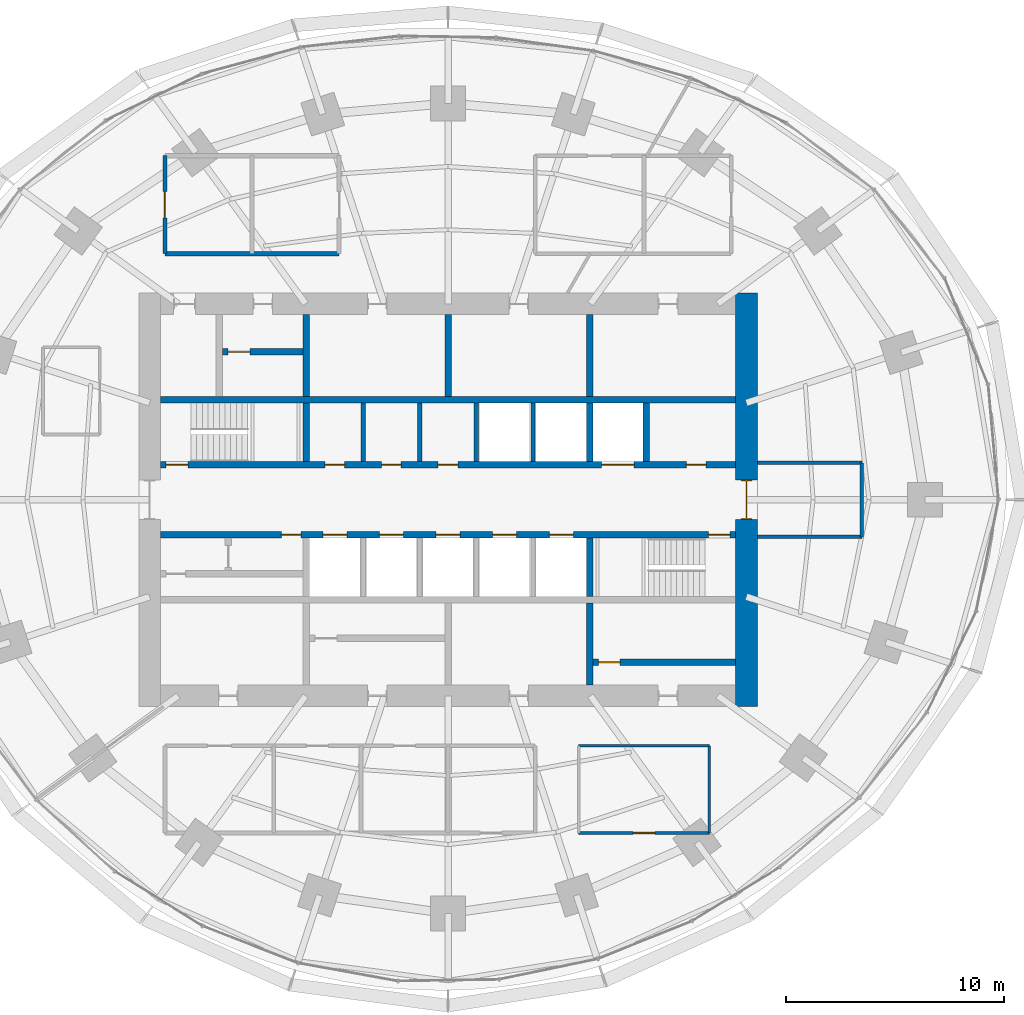
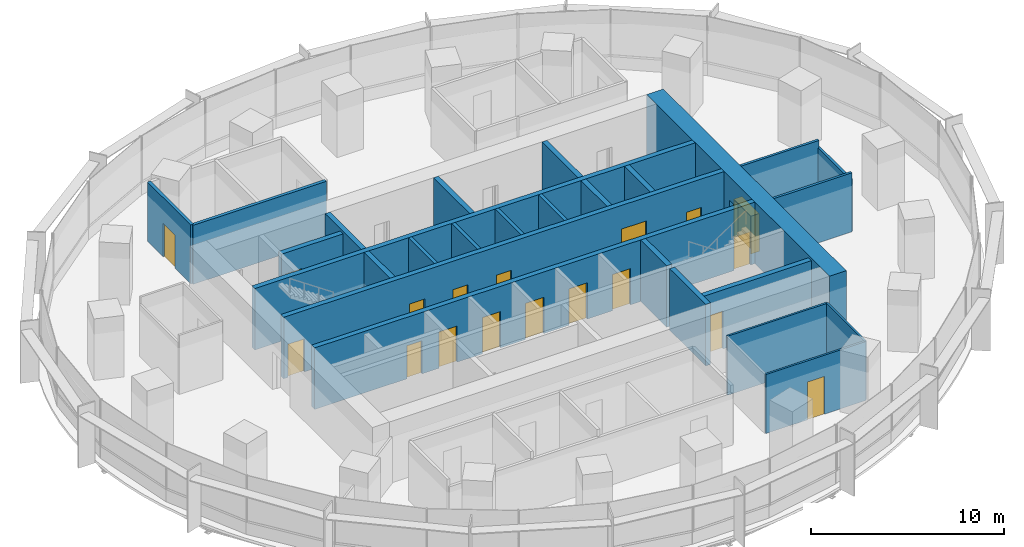
# One storey, part 11 of 14: 26 walls, 18 doors, 18 openings.
"""IFC4 building model written with IfcOpenShell, lengths in metres."""

from ifc_helpers import new_model, si_unit, direction, frame, frame_2d, origin, place, context, subcontext, project, spatial, rectangle, extrude, material, layer, layer_set, type_object, element, fill, save


model = new_model("IFC4")

# Units and contexts
model_context = context("Model", 3, precision=1e-05, world=origin(), true_north=direction((0.0, 1.0)))
body_context = subcontext(model_context, "Body", "Model", "MODEL_VIEW")
ifc_project = project(units=[si_unit("LENGTHUNIT", "METRE"), si_unit("AREAUNIT", "SQUARE_METRE"), si_unit("VOLUMEUNIT", "CUBIC_METRE"), si_unit("PLANEANGLEUNIT", "RADIAN"), si_unit("MASSUNIT", "GRAM", prefix="KILO")], contexts=[model_context])

# Site, building, storey
site_placement = place(None, origin())
site = spatial("IfcSite", under=ifc_project, at=site_placement, CompositionType="ELEMENT")
building_placement = place(site_placement, origin())
building = spatial("IfcBuilding", under=site, at=building_placement, Name="Marramba Exchange Tower", CompositionType="ELEMENT")
storey_placement = place(building_placement, frame((0.0, 0.0, 135.300048828125)))
storey = spatial("IfcBuildingStorey", under=building, at=storey_placement, Name="L32", CompositionType="ELEMENT", Elevation=135.300048828125)

# Walls
ifc_material_1 = material(Name="Concrete N50", Category="concrete")
ifc_layer_1 = layer(ifc_material_1, 0.199951171875)
ifc_layer_set_1 = layer_set([ifc_layer_1], Name="Core shaft wall 200")
wall_type_1 = type_object("IfcWallType", Name="Core shaft wall 200", PredefinedType="SHEAR", material=ifc_layer_set_1)
for number, where, z_axis, x_axis, name in (
    (1, (-3.89990234375, 1.75, 0.0), (0.0, 0.0, 1.0), (0.0, 1.0, 0.0), "Core wall SHN1 L32"),
    (2, (-1.300048828125, 1.75, 0.0), (0.0, 0.0, 1.0), (0.0, 1.0, 0.0), "Core wall SHN2 L32"),
    (3, (1.300048828125, 1.75, 0.0), (0.0, 0.0, 1.0), (0.0, 1.0, 0.0), "Core wall SHN3 L32"),
    (4, (3.89990234375, 1.75, 0.0), (0.0, 0.0, 1.0), (0.0, 1.0, 0.0), "Core wall SHN4 L32"),
):
    element("IfcWall", number, at=place(storey_placement, frame(where, z_axis=z_axis, x_axis=x_axis)), inside=storey, type_object=wall_type_1, Name=name, PredefinedType="SHEAR", context=body_context, shape_type="SweptSolid", body=[
        extrude(rectangle(XDim=2.699951171875, YDim=0.199951171875, at=frame_2d((1.35009765625, 0.0))), origin(), (0.0, 0.0, 1.0), 3.89990234375),
    ])

# Wall, opening, door
ifc_layer_2 = layer(ifc_material_1, 1.0)
ifc_layer_set_2 = layer_set([ifc_layer_2], Name="Core wall 1000")
wall_type_2 = type_object("IfcWallType", Name="Core wall 1000", PredefinedType="SHEAR", material=ifc_layer_set_2)
wall_1_placement = place(storey_placement, frame((13.699951171875, -9.5, 0.0), z_axis=(0.0, 0.0, 1.0), x_axis=(0.0, 1.0, 0.0)))
wall_1 = element("IfcWall", 5, at=wall_1_placement, inside=storey, type_object=wall_type_2, Name="Core wall E L32", PredefinedType="SHEAR", context=body_context, shape_type="SweptSolid", body=[
    extrude(rectangle(XDim=19.0, YDim=1.0, at=frame_2d((9.5, 0.0))), origin(), (0.0, 0.0, 1.0), 3.89990234375),
])
opening_1_placement = place(wall_1_placement, frame((8.60009765625, 0.0, 0.0)))
opening_1 = element("IfcOpeningElement", 6, at=opening_1_placement, cuts=wall_1, Name="Opening D1", PredefinedType="OPENING", context=body_context, shape_type="SweptSolid", body=[
    extrude(rectangle(XDim=1.800048828125, YDim=2.39990234375, at=frame_2d((0.89990234375, 1.199951171875))), frame((0.0, 0.510009765625, 0.0), z_axis=(0.0, -1.0, 0.0), x_axis=(1.0, 0.0, 0.0)), (0.0, 0.0, 1.0), 1.02001953125),
])
ifc_material_2 = material(Name="Steel-framed door", Category="steel")
door_type_1 = type_object("IfcDoorType", Name="Lobby exit door 1800x2400", OperationType="DOUBLE_DOOR_SINGLE_SWING", PredefinedType="DOOR", material=ifc_material_2)
door_1_placement = place(opening_1_placement, frame((1.800048828125, 0.0, 0.0), z_axis=(0.0, 0.0, 1.0), x_axis=(-1.0, 0.0, 0.0)))
door_1 = element("IfcDoor", 7, at=door_1_placement, inside=storey, type_object=door_type_1, Name="D1 lobby exit east L32", OperationType="DOUBLE_DOOR_SINGLE_SWING", OverallHeight=2.39990234375, OverallWidth=1.800048828125, PredefinedType="DOOR", context=body_context, shape_type="SweptSolid", body=[
    extrude(rectangle(XDim=1.719970703125, YDim=2.35986328125, at=frame_2d((0.900146484375, 1.179931640625))), frame((0.0, 0.025146484375, 0.0), z_axis=(0.0, -1.0, 0.0), x_axis=(1.0, 0.0, 0.0)), (0.0, 0.0, 1.0), 0.050048828125),
    extrude(rectangle(XDim=0.04, YDim=2.39990234375, at=frame_2d((1.780029296875, 1.199951171875))), frame((0.0, 0.25, 0.0), z_axis=(0.0, -1.0, 0.0), x_axis=(1.0, 0.0, 0.0)), (0.0, 0.0, 1.0), 0.5),
    extrude(rectangle(XDim=0.04, YDim=2.39990234375, at=frame_2d((0.02001953125, 1.199951171875))), frame((0.0, 0.25, 0.0), z_axis=(0.0, -1.0, 0.0), x_axis=(1.0, 0.0, 0.0)), (0.0, 0.0, 1.0), 0.5),
    extrude(rectangle(XDim=1.719970703125, YDim=0.04, at=frame_2d((0.900146484375, 2.3798828125))), frame((0.0, 0.25, 0.0), z_axis=(0.0, -1.0, 0.0), x_axis=(1.0, 0.0, 0.0)), (0.0, 0.0, 1.0), 0.5),
])
fill(opening_1, door_1)

# Wall, openings, doors
ifc_layer_3 = layer(ifc_material_1, 0.300048828125)
ifc_layer_set_3 = layer_set([ifc_layer_3], Name="Core wall 300")
wall_type_3 = type_object("IfcWallType", Name="Core wall 300", PredefinedType="SHEAR", material=ifc_layer_set_3)
wall_2_placement = place(storey_placement, frame((-13.199951171875, 1.60009765625, 0.0), z_axis=(0.0, 0.0, 1.0), x_axis=(1.0, 0.0, 0.0)))
wall_2 = element("IfcWall", 8, at=wall_2_placement, inside=storey, type_object=wall_type_3, Name="Core wall LN L32", PredefinedType="SHEAR", context=body_context, shape_type="SweptSolid", body=[
    extrude(rectangle(XDim=26.39990234375, YDim=0.300048828125, at=frame_2d((13.199951171875, 0.0))), origin(), (0.0, 0.0, 1.0), 3.89990234375),
])
opening_2_placement = place(wall_2_placement, frame((0.25, 0.0, 0.0)))
opening_2 = element("IfcOpeningElement", 9, at=opening_2_placement, cuts=wall_2, Name="Opening D2", PredefinedType="OPENING", context=body_context, shape_type="SweptSolid", body=[
    extrude(rectangle(XDim=1.0, YDim=2.10009765625, at=frame_2d((0.5, 1.050048828125))), frame((0.0, 0.159912109375, 0.0), z_axis=(0.0, -1.0, 0.0), x_axis=(1.0, 0.0, 0.0)), (0.0, 0.0, 1.0), 0.320068359375),
])
opening_3_placement = place(wall_2_placement, frame((20.25, 0.0, 0.0)))
opening_3 = element("IfcOpeningElement", 10, at=opening_3_placement, cuts=wall_2, Name="Opening LD3", PredefinedType="OPENING", context=body_context, shape_type="SweptSolid", body=[
    extrude(rectangle(XDim=1.5, YDim=2.39990234375, at=frame_2d((0.75, 1.199951171875))), frame((0.0, 0.159912109375, 0.0), z_axis=(0.0, -1.0, 0.0), x_axis=(1.0, 0.0, 0.0)), (0.0, 0.0, 1.0), 0.320068359375),
])
opening_4_placement = place(wall_2_placement, frame((7.550048828125, 0.0, 0.0)))
opening_4 = element("IfcOpeningElement", 11, at=opening_4_placement, cuts=wall_2, Name="Opening D5", PredefinedType="OPENING", context=body_context, shape_type="SweptSolid", body=[
    extrude(rectangle(XDim=0.89990234375, YDim=2.10009765625, at=frame_2d((0.449951171875, 1.050048828125))), frame((0.0, 0.159912109375, 0.0), z_axis=(0.0, -1.0, 0.0), x_axis=(1.0, 0.0, 0.0)), (0.0, 0.0, 1.0), 0.320068359375),
])
opening_5_placement = place(wall_2_placement, frame((10.14990234375, 0.0, 0.0)))
opening_5 = element("IfcOpeningElement", 12, at=opening_5_placement, cuts=wall_2, Name="Opening D5", PredefinedType="OPENING", context=body_context, shape_type="SweptSolid", body=[
    extrude(rectangle(XDim=0.89990234375, YDim=2.10009765625, at=frame_2d((0.449951171875, 1.050048828125))), frame((0.0, 0.159912109375, 0.0), z_axis=(0.0, -1.0, 0.0), x_axis=(1.0, 0.0, 0.0)), (0.0, 0.0, 1.0), 0.320068359375),
])
opening_6_placement = place(wall_2_placement, frame((12.75, 0.0, 0.0)))
opening_6 = element("IfcOpeningElement", 13, at=opening_6_placement, cuts=wall_2, Name="Opening D5", PredefinedType="OPENING", context=body_context, shape_type="SweptSolid", body=[
    extrude(rectangle(XDim=0.89990234375, YDim=2.10009765625, at=frame_2d((0.449951171875, 1.050048828125))), frame((0.0, 0.159912109375, 0.0), z_axis=(0.0, -1.0, 0.0), x_axis=(1.0, 0.0, 0.0)), (0.0, 0.0, 1.0), 0.320068359375),
])
opening_7_placement = place(wall_2_placement, frame((24.14990234375, 0.0, 0.0)))
opening_7 = element("IfcOpeningElement", 14, at=opening_7_placement, cuts=wall_2, Name="Opening D5", PredefinedType="OPENING", context=body_context, shape_type="SweptSolid", body=[
    extrude(rectangle(XDim=0.89990234375, YDim=2.10009765625, at=frame_2d((0.449951171875, 1.050048828125))), frame((0.0, 0.159912109375, 0.0), z_axis=(0.0, -1.0, 0.0), x_axis=(1.0, 0.0, 0.0)), (0.0, 0.0, 1.0), 0.320068359375),
])
door_type_2 = type_object("IfcDoorType", Name="Goods lift landing door 1500x2400", OperationType="SLIDING_TO_LEFT", PredefinedType="DOOR", material=ifc_material_2)
door_2_placement = place(opening_3_placement, origin())
door_2 = element("IfcDoor", 15, at=door_2_placement, inside=storey, type_object=door_type_2, Name="GL1 landing door L32", OperationType="SLIDING_TO_LEFT", OverallHeight=2.39990234375, OverallWidth=1.5, PredefinedType="DOOR", context=body_context, shape_type="SweptSolid", body=[
    extrude(rectangle(XDim=1.5, YDim=2.39990234375, at=frame_2d((0.75, 1.199951171875))), frame((0.0, 0.02490234375, 0.0), z_axis=(0.0, -1.0, 0.0), x_axis=(1.0, 0.0, 0.0)), (0.0, 0.0, 1.0), 0.050048828125),
])
fill(opening_3, door_2)
door_type_3 = type_object("IfcDoorType", Name="Service door 900x2100", OperationType="SINGLE_SWING_LEFT", PredefinedType="DOOR", material=ifc_material_2)
door_3_placement = place(opening_4_placement, origin())
door_3 = element("IfcDoor", 16, at=door_3_placement, inside=storey, type_object=door_type_3, Name="D5 print room L32", OperationType="SINGLE_SWING_RIGHT", OverallHeight=2.10009765625, OverallWidth=0.89990234375, PredefinedType="DOOR", context=body_context, shape_type="SweptSolid", body=[
    extrude(rectangle(XDim=0.89990234375, YDim=2.10009765625, at=frame_2d((0.449951171875, 1.050048828125))), frame((0.0, 0.02490234375, 0.0), z_axis=(0.0, -1.0, 0.0), x_axis=(1.0, 0.0, 0.0)), (0.0, 0.0, 1.0), 0.050048828125),
])
fill(opening_4, door_3)
door_4_placement = place(opening_5_placement, origin())
door_4 = element("IfcDoor", 17, at=door_4_placement, inside=storey, type_object=door_type_3, Name="D5 stationery store L32", OperationType="SINGLE_SWING_RIGHT", OverallHeight=2.10009765625, OverallWidth=0.89990234375, PredefinedType="DOOR", context=body_context, shape_type="SweptSolid", body=[
    extrude(rectangle(XDim=0.89990234375, YDim=2.10009765625, at=frame_2d((0.449951171875, 1.050048828125))), frame((0.0, 0.02490234375, 0.0), z_axis=(0.0, -1.0, 0.0), x_axis=(1.0, 0.0, 0.0)), (0.0, 0.0, 1.0), 0.050048828125),
])
fill(opening_5, door_4)
door_5_placement = place(opening_6_placement, origin())
door_5 = element("IfcDoor", 18, at=door_5_placement, inside=storey, type_object=door_type_3, Name="D5 switch room L32", OperationType="SINGLE_SWING_RIGHT", OverallHeight=2.10009765625, OverallWidth=0.89990234375, PredefinedType="DOOR", context=body_context, shape_type="SweptSolid", body=[
    extrude(rectangle(XDim=0.89990234375, YDim=2.10009765625, at=frame_2d((0.449951171875, 1.050048828125))), frame((0.0, 0.02490234375, 0.0), z_axis=(0.0, -1.0, 0.0), x_axis=(1.0, 0.0, 0.0)), (0.0, 0.0, 1.0), 0.050048828125),
])
fill(opening_6, door_5)
door_6_placement = place(opening_7_placement, origin())
door_6 = element("IfcDoor", 19, at=door_6_placement, inside=storey, type_object=door_type_3, Name="D5 riser L32", OperationType="SINGLE_SWING_RIGHT", OverallHeight=2.10009765625, OverallWidth=0.89990234375, PredefinedType="DOOR", context=body_context, shape_type="SweptSolid", body=[
    extrude(rectangle(XDim=0.89990234375, YDim=2.10009765625, at=frame_2d((0.449951171875, 1.050048828125))), frame((0.0, 0.02490234375, 0.0), z_axis=(0.0, -1.0, 0.0), x_axis=(1.0, 0.0, 0.0)), (0.0, 0.0, 1.0), 0.050048828125),
])
fill(opening_7, door_6)
door_type_4 = type_object("IfcDoorType", Name="Stair door 1000x2100", OperationType="SINGLE_SWING_LEFT", PredefinedType="DOOR", material=ifc_material_2)
door_7_placement = place(opening_2_placement, origin())
door_7 = element("IfcDoor", 20, at=door_7_placement, inside=storey, type_object=door_type_4, Name="D2 stair ST1 L32", OperationType="SINGLE_SWING_LEFT", OverallHeight=2.10009765625, OverallWidth=1.0, PredefinedType="DOOR", context=body_context, shape_type="SweptSolid", body=[
    extrude(rectangle(XDim=1.0, YDim=2.10009765625, at=frame_2d((0.5, 1.050048828125))), frame((0.0, 0.02490234375, 0.0), z_axis=(0.0, -1.0, 0.0), x_axis=(1.0, 0.0, 0.0)), (0.0, 0.0, 1.0), 0.050048828125),
])
fill(opening_2, door_7)

wall_3_placement = place(storey_placement, frame((-13.199951171875, -1.60009765625, 0.0), z_axis=(0.0, 0.0, 1.0), x_axis=(1.0, 0.0, 0.0)))
wall_3 = element("IfcWall", 21, at=wall_3_placement, inside=storey, type_object=wall_type_3, Name="Core wall LS L32", PredefinedType="SHEAR", context=body_context, shape_type="SweptSolid", body=[
    extrude(rectangle(XDim=26.39990234375, YDim=0.300048828125, at=frame_2d((13.199951171875, 0.0))), origin(), (0.0, 0.0, 1.0), 3.89990234375),
])
opening_8_placement = place(wall_3_placement, frame((25.14990234375, 0.0, 0.0)))
opening_8 = element("IfcOpeningElement", 22, at=opening_8_placement, cuts=wall_3, Name="Opening D2", PredefinedType="OPENING", context=body_context, shape_type="SweptSolid", body=[
    extrude(rectangle(XDim=1.0, YDim=2.10009765625, at=frame_2d((0.5, 1.050048828125))), frame((0.0, 0.159912109375, 0.0), z_axis=(0.0, -1.0, 0.0), x_axis=(1.0, 0.0, 0.0)), (0.0, 0.0, 1.0), 0.320068359375),
])
opening_9_placement = place(wall_3_placement, frame((7.449951171875, 0.0, 0.0)))
opening_9 = element("IfcOpeningElement", 23, at=opening_9_placement, cuts=wall_3, Name="Opening LD1", PredefinedType="OPENING", context=body_context, shape_type="SweptSolid", body=[
    extrude(rectangle(XDim=1.10009765625, YDim=2.300048828125, at=frame_2d((0.550048828125, 1.14990234375))), frame((0.0, 0.159912109375, 0.0), z_axis=(0.0, -1.0, 0.0), x_axis=(1.0, 0.0, 0.0)), (0.0, 0.0, 1.0), 0.320068359375),
])
opening_10_placement = place(wall_3_placement, frame((10.050048828125, 0.0, 0.0)))
opening_10 = element("IfcOpeningElement", 24, at=opening_10_placement, cuts=wall_3, Name="Opening LD1", PredefinedType="OPENING", context=body_context, shape_type="SweptSolid", body=[
    extrude(rectangle(XDim=1.10009765625, YDim=2.300048828125, at=frame_2d((0.550048828125, 1.14990234375))), frame((0.0, 0.159912109375, 0.0), z_axis=(0.0, -1.0, 0.0), x_axis=(1.0, 0.0, 0.0)), (0.0, 0.0, 1.0), 0.320068359375),
])
opening_11_placement = place(wall_3_placement, frame((12.64990234375, 0.0, 0.0)))
opening_11 = element("IfcOpeningElement", 25, at=opening_11_placement, cuts=wall_3, Name="Opening LD1", PredefinedType="OPENING", context=body_context, shape_type="SweptSolid", body=[
    extrude(rectangle(XDim=1.10009765625, YDim=2.300048828125, at=frame_2d((0.550048828125, 1.14990234375))), frame((0.0, 0.159912109375, 0.0), z_axis=(0.0, -1.0, 0.0), x_axis=(1.0, 0.0, 0.0)), (0.0, 0.0, 1.0), 0.320068359375),
])
opening_12_placement = place(wall_3_placement, frame((15.25, 0.0, 0.0)))
opening_12 = element("IfcOpeningElement", 26, at=opening_12_placement, cuts=wall_3, Name="Opening LD2", PredefinedType="OPENING", context=body_context, shape_type="SweptSolid", body=[
    extrude(rectangle(XDim=1.10009765625, YDim=2.300048828125, at=frame_2d((0.550048828125, 1.14990234375))), frame((0.0, 0.159912109375, 0.0), z_axis=(0.0, -1.0, 0.0), x_axis=(1.0, 0.0, 0.0)), (0.0, 0.0, 1.0), 0.320068359375),
])
opening_13_placement = place(wall_3_placement, frame((17.85009765625, 0.0, 0.0)))
opening_13 = element("IfcOpeningElement", 27, at=opening_13_placement, cuts=wall_3, Name="Opening LD2", PredefinedType="OPENING", context=body_context, shape_type="SweptSolid", body=[
    extrude(rectangle(XDim=1.10009765625, YDim=2.300048828125, at=frame_2d((0.550048828125, 1.14990234375))), frame((0.0, 0.159912109375, 0.0), z_axis=(0.0, -1.0, 0.0), x_axis=(1.0, 0.0, 0.0)), (0.0, 0.0, 1.0), 0.320068359375),
])
opening_14_placement = place(wall_3_placement, frame((5.550048828125, 0.0, 0.0)))
opening_14 = element("IfcOpeningElement", 28, at=opening_14_placement, cuts=wall_3, Name="Opening D5", PredefinedType="OPENING", context=body_context, shape_type="SweptSolid", body=[
    extrude(rectangle(XDim=0.89990234375, YDim=2.10009765625, at=frame_2d((0.449951171875, 1.050048828125))), frame((0.0, 0.159912109375, 0.0), z_axis=(0.0, -1.0, 0.0), x_axis=(1.0, 0.0, 0.0)), (0.0, 0.0, 1.0), 0.320068359375),
])
door_type_5 = type_object("IfcDoorType", Name="Emergency lift landing door 1100x2300", OperationType="SLIDING_TO_LEFT", PredefinedType="DOOR", material=ifc_material_2)
door_8_placement = place(opening_12_placement, frame((1.10009765625, 0.0, 0.0), z_axis=(0.0, 0.0, 1.0), x_axis=(-1.0, 0.0, 0.0)))
door_8 = element("IfcDoor", 29, at=door_8_placement, inside=storey, type_object=door_type_5, Name="FL1 landing door L32", OperationType="SLIDING_TO_RIGHT", OverallHeight=2.300048828125, OverallWidth=1.10009765625, PredefinedType="DOOR", context=body_context, shape_type="SweptSolid", body=[
    extrude(rectangle(XDim=1.10009765625, YDim=2.300048828125, at=frame_2d((0.550048828125, 1.14990234375))), frame((0.0, 0.025146484375, 0.0), z_axis=(0.0, -1.0, 0.0), x_axis=(1.0, 0.0, 0.0)), (0.0, 0.0, 1.0), 0.050048828125),
])
fill(opening_12, door_8)
door_9_placement = place(opening_13_placement, frame((1.10009765625, 0.0, 0.0), z_axis=(0.0, 0.0, 1.0), x_axis=(-1.0, 0.0, 0.0)))
door_9 = element("IfcDoor", 30, at=door_9_placement, inside=storey, type_object=door_type_5, Name="FL2 landing door L32", OperationType="SLIDING_TO_LEFT", OverallHeight=2.300048828125, OverallWidth=1.10009765625, PredefinedType="DOOR", context=body_context, shape_type="SweptSolid", body=[
    extrude(rectangle(XDim=1.10009765625, YDim=2.300048828125, at=frame_2d((0.550048828125, 1.14990234375))), frame((0.0, 0.025146484375, 0.0), z_axis=(0.0, -1.0, 0.0), x_axis=(1.0, 0.0, 0.0)), (0.0, 0.0, 1.0), 0.050048828125),
])
fill(opening_13, door_9)
door_type_6 = type_object("IfcDoorType", Name="Lift landing door 1100x2300", OperationType="SLIDING_TO_LEFT", PredefinedType="DOOR", material=ifc_material_2)
door_10_placement = place(opening_9_placement, frame((1.10009765625, 0.0, 0.0), z_axis=(0.0, 0.0, 1.0), x_axis=(-1.0, 0.0, 0.0)))
door_10 = element("IfcDoor", 31, at=door_10_placement, inside=storey, type_object=door_type_6, Name="LB1 landing door L32", OperationType="SLIDING_TO_LEFT", OverallHeight=2.300048828125, OverallWidth=1.10009765625, PredefinedType="DOOR", context=body_context, shape_type="SweptSolid", body=[
    extrude(rectangle(XDim=1.10009765625, YDim=2.300048828125, at=frame_2d((0.550048828125, 1.14990234375))), frame((0.0, 0.025146484375, 0.0), z_axis=(0.0, -1.0, 0.0), x_axis=(1.0, 0.0, 0.0)), (0.0, 0.0, 1.0), 0.050048828125),
])
fill(opening_9, door_10)
door_11_placement = place(opening_10_placement, frame((1.10009765625, 0.0, 0.0), z_axis=(0.0, 0.0, 1.0), x_axis=(-1.0, 0.0, 0.0)))
door_11 = element("IfcDoor", 32, at=door_11_placement, inside=storey, type_object=door_type_6, Name="LB2 landing door L32", OperationType="SLIDING_TO_RIGHT", OverallHeight=2.300048828125, OverallWidth=1.10009765625, PredefinedType="DOOR", context=body_context, shape_type="SweptSolid", body=[
    extrude(rectangle(XDim=1.10009765625, YDim=2.300048828125, at=frame_2d((0.550048828125, 1.14990234375))), frame((0.0, 0.025146484375, 0.0), z_axis=(0.0, -1.0, 0.0), x_axis=(1.0, 0.0, 0.0)), (0.0, 0.0, 1.0), 0.050048828125),
])
fill(opening_10, door_11)
door_12_placement = place(opening_11_placement, frame((1.10009765625, 0.0, 0.0), z_axis=(0.0, 0.0, 1.0), x_axis=(-1.0, 0.0, 0.0)))
door_12 = element("IfcDoor", 33, at=door_12_placement, inside=storey, type_object=door_type_6, Name="LB3 landing door L32", OperationType="SLIDING_TO_RIGHT", OverallHeight=2.300048828125, OverallWidth=1.10009765625, PredefinedType="DOOR", context=body_context, shape_type="SweptSolid", body=[
    extrude(rectangle(XDim=1.10009765625, YDim=2.300048828125, at=frame_2d((0.550048828125, 1.14990234375))), frame((0.0, 0.025146484375, 0.0), z_axis=(0.0, -1.0, 0.0), x_axis=(1.0, 0.0, 0.0)), (0.0, 0.0, 1.0), 0.050048828125),
])
fill(opening_11, door_12)
door_13_placement = place(opening_14_placement, frame((0.89990234375, 0.0, 0.0), z_axis=(0.0, 0.0, 1.0), x_axis=(-1.0, 0.0, 0.0)))
door_13 = element("IfcDoor", 34, at=door_13_placement, inside=storey, type_object=door_type_3, Name="D5 electrical riser L32", OperationType="SINGLE_SWING_LEFT", OverallHeight=2.10009765625, OverallWidth=0.89990234375, PredefinedType="DOOR", context=body_context, shape_type="SweptSolid", body=[
    extrude(rectangle(XDim=0.89990234375, YDim=2.10009765625, at=frame_2d((0.449951171875, 1.050048828125))), frame((0.0, 0.025146484375, 0.0), z_axis=(0.0, -1.0, 0.0), x_axis=(1.0, 0.0, 0.0)), (0.0, 0.0, 1.0), 0.050048828125),
])
fill(opening_14, door_13)
door_14_placement = place(opening_8_placement, frame((1.0, 0.0, 0.0), z_axis=(0.0, 0.0, 1.0), x_axis=(-1.0, 0.0, 0.0)))
door_14 = element("IfcDoor", 35, at=door_14_placement, inside=storey, type_object=door_type_4, Name="D2 stair ST2 L32", OperationType="SINGLE_SWING_LEFT", OverallHeight=2.10009765625, OverallWidth=1.0, PredefinedType="DOOR", context=body_context, shape_type="SweptSolid", body=[
    extrude(rectangle(XDim=1.0, YDim=2.10009765625, at=frame_2d((0.5, 1.050048828125))), frame((0.0, 0.025146484375, 0.0), z_axis=(0.0, -1.0, 0.0), x_axis=(1.0, 0.0, 0.0)), (0.0, 0.0, 1.0), 0.050048828125),
])
fill(opening_8, door_14)

# Walls
wall_4_placement = place(storey_placement, frame((-13.199951171875, 4.60009765625, 0.0), z_axis=(0.0, 0.0, 1.0), x_axis=(1.0, 0.0, 0.0)))
element("IfcWall", 36, at=wall_4_placement, inside=storey, type_object=wall_type_3, Name="Core wall BN L32", PredefinedType="SHEAR", context=body_context, shape_type="SweptSolid", body=[
    extrude(rectangle(XDim=26.39990234375, YDim=0.300048828125, at=frame_2d((13.199951171875, 0.0))), origin(), (0.0, 0.0, 1.0), 3.89990234375),
])
wall_5_placement = place(storey_placement, frame((-6.5, 1.75, 0.0), z_axis=(0.0, 0.0, 1.0), x_axis=(0.0, 1.0, 0.0)))
element("IfcWall", 37, at=wall_5_placement, inside=storey, type_object=wall_type_3, Name="Core wall X0Na L32", PredefinedType="SHEAR", context=body_context, shape_type="SweptSolid", body=[
    extrude(rectangle(XDim=2.699951171875, YDim=0.300048828125, at=frame_2d((1.35009765625, 0.0))), origin(), (0.0, 0.0, 1.0), 3.89990234375),
])
wall_6_placement = place(storey_placement, frame((-6.5, 4.75, 0.0), z_axis=(0.0, 0.0, 1.0), x_axis=(0.0, 1.0, 0.0)))
element("IfcWall", 38, at=wall_6_placement, inside=storey, type_object=wall_type_3, Name="Core wall X0Nb L32", PredefinedType="SHEAR", context=body_context, shape_type="SweptSolid", body=[
    extrude(rectangle(XDim=3.75, YDim=0.300048828125, at=frame_2d((1.875, 0.0))), origin(), (0.0, 0.0, 1.0), 3.89990234375),
])
wall_7_placement = place(storey_placement, frame((6.5, 1.75, 0.0), z_axis=(0.0, 0.0, 1.0), x_axis=(0.0, 1.0, 0.0)))
element("IfcWall", 39, at=wall_7_placement, inside=storey, type_object=wall_type_3, Name="Core wall X1Na L32", PredefinedType="SHEAR", context=body_context, shape_type="SweptSolid", body=[
    extrude(rectangle(XDim=2.699951171875, YDim=0.300048828125, at=frame_2d((1.35009765625, 0.0))), origin(), (0.0, 0.0, 1.0), 3.89990234375),
])
for number, where, z_axis, x_axis, name in (
    (40, (6.5, 4.75, 0.0), (0.0, 0.0, 1.0), (0.0, 1.0, 0.0), "Core wall X1Nb L32"),
    (41, (0.0, 4.75, 0.0), (0.0, 0.0, 1.0), (0.0, 1.0, 0.0), "Core wall MN L32"),
):
    element("IfcWall", number, at=place(storey_placement, frame(where, z_axis=z_axis, x_axis=x_axis)), inside=storey, type_object=wall_type_3, Name=name, PredefinedType="SHEAR", context=body_context, shape_type="SweptSolid", body=[
        extrude(rectangle(XDim=3.75, YDim=0.300048828125, at=frame_2d((1.875, 0.0))), origin(), (0.0, 0.0, 1.0), 3.89990234375),
    ])
wall_8_placement = place(storey_placement, frame((6.5, -1.75, 0.0), z_axis=(0.0, 0.0, 1.0), x_axis=(0.0, -1.0, 0.0)))
element("IfcWall", 42, at=wall_8_placement, inside=storey, type_object=wall_type_3, Name="Core wall X1Sa L32", PredefinedType="SHEAR", context=body_context, shape_type="SweptSolid", body=[
    extrude(rectangle(XDim=2.699951171875, YDim=0.300048828125, at=frame_2d((1.35009765625, 0.0))), origin(), (0.0, 0.0, 1.0), 3.89990234375),
])
wall_9_placement = place(storey_placement, frame((6.5, -4.75, 0.0), z_axis=(0.0, 0.0, 1.0), x_axis=(0.0, -1.0, 0.0)))
element("IfcWall", 43, at=wall_9_placement, inside=storey, type_object=wall_type_3, Name="Core wall X1Sb L32", PredefinedType="SHEAR", context=body_context, shape_type="SweptSolid", body=[
    extrude(rectangle(XDim=3.75, YDim=0.300048828125, at=frame_2d((1.875, 0.0))), origin(), (0.0, 0.0, 1.0), 3.89990234375),
])
wall_10_placement = place(storey_placement, frame((9.10009765625, 1.75, 0.0), z_axis=(0.0, 0.0, 1.0), x_axis=(0.0, 1.0, 0.0)))
element("IfcWall", 44, at=wall_10_placement, inside=storey, type_object=wall_type_3, Name="Core wall ED L32", PredefinedType="SHEAR", context=body_context, shape_type="SweptSolid", body=[
    extrude(rectangle(XDim=2.699951171875, YDim=0.300048828125, at=frame_2d((1.35009765625, 0.0))), origin(), (0.0, 0.0, 1.0), 3.89990234375),
])
ifc_material_3 = material(Name="Core-filled concrete blockwork, rendered", Category="masonry")
ifc_layer_4 = layer(ifc_material_3, 0.18994140625)
ifc_layer_set_4 = layer_set([ifc_layer_4], Name="Equipment room wall 190")
wall_type_4 = type_object("IfcWallType", Name="Equipment room wall 190", PredefinedType="SOLIDWALL", material=ifc_layer_set_4)
wall_11_placement = place(storey_placement, frame((-5.0, 11.300048828125, 0.0), z_axis=(0.0, 0.0, 1.0), x_axis=(-1.0, 0.0, 0.0)))
element("IfcWall", 45, at=wall_11_placement, inside=storey, type_object=wall_type_4, Name="Equipment room wall L32 26", PredefinedType="SOLIDWALL", context=body_context, shape_type="SweptSolid", body=[
    extrude(rectangle(XDim=8.0, YDim=0.18994140625, at=frame_2d((4.0, 0.0))), origin(), (0.0, 0.0, 1.0), 3.739990234375),
])

# Wall, opening, door
wall_12_placement = place(storey_placement, frame((-13.0, 11.300048828125, 0.0), z_axis=(0.0, 0.0, 1.0), x_axis=(0.0, 1.0, 0.0)))
wall_12 = element("IfcWall", 46, at=wall_12_placement, inside=storey, type_object=wall_type_4, Name="Equipment room wall L32 27", PredefinedType="SOLIDWALL", context=body_context, shape_type="SweptSolid", body=[
    extrude(rectangle(XDim=4.5, YDim=0.18994140625, at=frame_2d((2.25, 0.0))), origin(), (0.0, 0.0, 1.0), 3.739990234375),
])
opening_15_placement = place(wall_12_placement, frame((1.64990234375, 0.0, 0.0)))
opening_15 = element("IfcOpeningElement", 47, at=opening_15_placement, cuts=wall_12, Name="Opening D16", PredefinedType="OPENING", context=body_context, shape_type="SweptSolid", body=[
    extrude(rectangle(XDim=1.199951171875, YDim=2.10009765625, at=frame_2d((0.60009765625, 1.050048828125))), frame((0.0, 0.10498046875, 0.0), z_axis=(0.0, -1.0, 0.0), x_axis=(1.0, 0.0, 0.0)), (0.0, 0.0, 1.0), 0.2099609375),
])
door_type_7 = type_object("IfcDoorType", Name="Equipment room door 1200x2100", OperationType="SINGLE_SWING_LEFT", PredefinedType="DOOR", material=ifc_material_2)
door_15_placement = place(opening_15_placement, frame((1.199951171875, 0.0, 0.0), z_axis=(0.0, 0.0, 1.0), x_axis=(-1.0, 0.0, 0.0)))
door_15 = element("IfcDoor", 48, at=door_15_placement, inside=storey, type_object=door_type_7, Name="D16 Data Room 1 L32", OperationType="SINGLE_SWING_RIGHT", OverallHeight=2.10009765625, OverallWidth=1.199951171875, PredefinedType="DOOR", context=body_context, shape_type="SweptSolid", body=[
    extrude(rectangle(XDim=1.199951171875, YDim=2.10009765625, at=frame_2d((0.599853515625, 1.050048828125))), frame((0.0, 0.025146484375, 0.0), z_axis=(0.0, -1.0, 0.0), x_axis=(1.0, 0.0, 0.0)), (0.0, 0.0, 1.0), 0.050048828125),
])
fill(opening_15, door_15)

ifc_material_4 = material(Name="Plasterboard on steel studs", Category="steel")
ifc_layer_5 = layer(ifc_material_4, 0.1201171875)
ifc_layer_set_5 = layer_set([ifc_layer_5], Name="Partition 120")
wall_type_5 = type_object("IfcWallType", Name="Partition 120", PredefinedType="PARTITIONING", material=ifc_layer_set_5)
wall_13_placement = place(storey_placement, frame((12.0, -15.300048828125, 0.0), z_axis=(0.0, 0.0, 1.0), x_axis=(-1.0, 0.0, 0.0)))
wall_13 = element("IfcWall", 49, at=wall_13_placement, inside=storey, type_object=wall_type_5, Name="Partition L32 10", PredefinedType="PARTITIONING", context=body_context, shape_type="SweptSolid", body=[
    extrude(rectangle(XDim=6.0, YDim=0.1201171875, at=frame_2d((3.0, 0.0))), origin(), (0.0, 0.0, 1.0), 3.739990234375),
])
opening_16_placement = place(wall_13_placement, frame((2.5, 0.0, 0.0)))
opening_16 = element("IfcOpeningElement", 50, at=opening_16_placement, cuts=wall_13, Name="Opening D9", PredefinedType="OPENING", context=body_context, shape_type="SweptSolid", body=[
    extrude(rectangle(XDim=1.0, YDim=2.39990234375, at=frame_2d((0.5, 1.199951171875))), frame((0.0, 0.070068359375, 0.0), z_axis=(0.0, -1.0, 0.0), x_axis=(1.0, 0.0, 0.0)), (0.0, 0.0, 1.0), 0.14013671875),
])
ifc_material_5 = material(Name="Timber door", Category="wood")
door_type_8 = type_object("IfcDoorType", Name="Room door 1000x2400", OperationType="SINGLE_SWING_LEFT", PredefinedType="DOOR", material=ifc_material_5)
door_16_placement = place(opening_16_placement, frame((1.0, 0.0, 0.0), z_axis=(0.0, 0.0, 1.0), x_axis=(-1.0, 0.0, 0.0)))
door_16 = element("IfcDoor", 51, at=door_16_placement, inside=storey, type_object=door_type_8, Name="D9 Pantry L32", OperationType="SINGLE_SWING_RIGHT", OverallHeight=2.39990234375, OverallWidth=1.0, PredefinedType="DOOR", context=body_context, shape_type="SweptSolid", body=[
    extrude(rectangle(XDim=1.0, YDim=2.39990234375, at=frame_2d((0.5, 1.199951171875))), frame((0.0, 0.025146484375, 0.0), z_axis=(0.0, -1.0, 0.0), x_axis=(1.0, 0.0, 0.0)), (0.0, 0.0, 1.0), 0.050048828125),
])
fill(opening_16, door_16)

# Walls
wall_14_placement = place(storey_placement, frame((6.0, -11.300048828125, 0.0), z_axis=(0.0, 0.0, 1.0), x_axis=(1.0, 0.0, 0.0)))
element("IfcWall", 52, at=wall_14_placement, inside=storey, type_object=wall_type_5, Name="Partition L32 11", PredefinedType="PARTITIONING", context=body_context, shape_type="SweptSolid", body=[
    extrude(rectangle(XDim=6.0, YDim=0.1201171875, at=frame_2d((3.0, 0.0))), origin(), (0.0, 0.0, 1.0), 3.739990234375),
])
wall_15_placement = place(storey_placement, frame((12.0, -11.300048828125, 0.0), z_axis=(0.0, 0.0, 1.0), x_axis=(0.0, -1.0, 0.0)))
element("IfcWall", 53, at=wall_15_placement, inside=storey, type_object=wall_type_5, Name="Partition L32 12", PredefinedType="PARTITIONING", context=body_context, shape_type="SweptSolid", body=[
    extrude(rectangle(XDim=4.0, YDim=0.1201171875, at=frame_2d((2.0, 0.0))), origin(), (0.0, 0.0, 1.0), 3.739990234375),
])

# Wall, opening, door
ifc_material_6 = material(Name="Plasterboard on steel studs, insulated, unrated", Category="steel")
ifc_layer_6 = layer(ifc_material_6, 0.300048828125)
ifc_layer_set_6 = layer_set([ifc_layer_6], Name="Store partition 300")
wall_type_6 = type_object("IfcWallType", Name="Store partition 300", PredefinedType="PARTITIONING", material=ifc_layer_set_6)
wall_16_placement = place(storey_placement, frame((-10.35009765625, 6.800048828125, 0.0), z_axis=(0.0, 0.0, 1.0), x_axis=(1.0, 0.0, 0.0)))
wall_16 = element("IfcWall", 54, at=wall_16_placement, inside=storey, type_object=wall_type_6, Name="Store partition L32 cleaner", PredefinedType="PARTITIONING", context=body_context, shape_type="SweptSolid", body=[
    extrude(rectangle(XDim=3.7001953125, YDim=0.300048828125, at=frame_2d((1.85009765625, 0.0))), origin(), (0.0, 0.0, 1.0), 3.739990234375),
])
opening_17_placement = place(wall_16_placement, frame((0.25, 0.0, 0.0)))
opening_17 = element("IfcOpeningElement", 55, at=opening_17_placement, cuts=wall_16, Name="Opening D9", PredefinedType="OPENING", context=body_context, shape_type="SweptSolid", body=[
    extrude(rectangle(XDim=1.0, YDim=2.39990234375, at=frame_2d((0.5, 1.199951171875))), frame((0.0, 0.159912109375, 0.0), z_axis=(0.0, -1.0, 0.0), x_axis=(1.0, 0.0, 0.0)), (0.0, 0.0, 1.0), 0.320068359375),
])
door_17_placement = place(opening_17_placement, origin())
door_17 = element("IfcDoor", 56, at=door_17_placement, inside=storey, type_object=door_type_8, Name="D9 cleaning store L32", OperationType="SINGLE_SWING_LEFT", OverallHeight=2.39990234375, OverallWidth=1.0, PredefinedType="DOOR", context=body_context, shape_type="SweptSolid", body=[
    extrude(rectangle(XDim=1.0, YDim=2.39990234375, at=frame_2d((0.5, 1.199951171875))), frame((0.0, 0.02490234375, 0.0), z_axis=(0.0, -1.0, 0.0), x_axis=(1.0, 0.0, 0.0)), (0.0, 0.0, 1.0), 0.050048828125),
])
fill(opening_17, door_17)

wall_17_placement = place(storey_placement, frame((6.64990234375, -7.4599609375, 0.0), z_axis=(0.0, 0.0, 1.0), x_axis=(1.0, 0.0, 0.0)))
wall_17 = element("IfcWall", 57, at=wall_17_placement, inside=storey, type_object=wall_type_6, Name="Store partition L32 cstore", PredefinedType="PARTITIONING", context=body_context, shape_type="SweptSolid", body=[
    extrude(rectangle(XDim=6.550048828125, YDim=0.300048828125, at=frame_2d((3.27490234375, 0.0))), origin(), (0.0, 0.0, 1.0), 3.739990234375),
])
opening_18_placement = place(wall_17_placement, frame((0.25, 0.0, 0.0)))
opening_18 = element("IfcOpeningElement", 58, at=opening_18_placement, cuts=wall_17, Name="Opening D9", PredefinedType="OPENING", context=body_context, shape_type="SweptSolid", body=[
    extrude(rectangle(XDim=1.0, YDim=2.39990234375, at=frame_2d((0.5, 1.199951171875))), frame((0.0, 0.159912109375, 0.0), z_axis=(0.0, -1.0, 0.0), x_axis=(1.0, 0.0, 0.0)), (0.0, 0.0, 1.0), 0.320068359375),
])
door_18_placement = place(opening_18_placement, frame((1.0, 0.0, 0.0), z_axis=(0.0, 0.0, 1.0), x_axis=(-1.0, 0.0, 0.0)))
door_18 = element("IfcDoor", 59, at=door_18_placement, inside=storey, type_object=door_type_8, Name="D9 general store L32", OperationType="SINGLE_SWING_RIGHT", OverallHeight=2.39990234375, OverallWidth=1.0, PredefinedType="DOOR", context=body_context, shape_type="SweptSolid", body=[
    extrude(rectangle(XDim=1.0, YDim=2.39990234375, at=frame_2d((0.5, 1.199951171875))), frame((0.0, 0.025146484375, 0.0), z_axis=(0.0, -1.0, 0.0), x_axis=(1.0, 0.0, 0.0)), (0.0, 0.0, 1.0), 0.050048828125),
])
fill(opening_18, door_18)

# Walls
ifc_material_7 = material(Name="Fire-rated plasterboard on steel studs, acoustic insulation", Category="steel")
ifc_layer_7 = layer(ifc_material_7, 0.14990234375)
ifc_layer_set_7 = layer_set([ifc_layer_7], Name="Tenancy wall 150")
wall_type_7 = type_object("IfcWallType", Name="Tenancy wall 150", PredefinedType="PARTITIONING", material=ifc_layer_set_7)
wall_18_placement = place(storey_placement, frame((14.199951171875, -1.699951171875, 0.0), z_axis=(0.0, 0.0, 1.0), x_axis=(1.0, 0.0, 0.0)))
element("IfcWall", 60, at=wall_18_placement, inside=storey, type_object=wall_type_7, Name="Tenancy wall L32 13", PredefinedType="PARTITIONING", context=body_context, shape_type="SweptSolid", body=[
    extrude(rectangle(XDim=4.800048828125, YDim=0.14990234375, at=frame_2d((2.39990234375, 0.0))), origin(), (0.0, 0.0, 1.0), 3.739990234375),
])
wall_19_placement = place(storey_placement, frame((19.0, -1.699951171875, 0.0), z_axis=(0.0, 0.0, 1.0), x_axis=(0.0, 1.0, 0.0)))
element("IfcWall", 61, at=wall_19_placement, inside=storey, type_object=wall_type_7, Name="Tenancy wall L32 14", PredefinedType="PARTITIONING", context=body_context, shape_type="SweptSolid", body=[
    extrude(rectangle(XDim=3.39990234375, YDim=0.14990234375, at=frame_2d((1.699951171875, 0.0))), origin(), (0.0, 0.0, 1.0), 3.285888671875),
])
wall_20_placement = place(storey_placement, frame((19.0, 1.699951171875, 0.0), z_axis=(0.0, 0.0, 1.0), x_axis=(-1.0, 0.0, 0.0)))
element("IfcWall", 62, at=wall_20_placement, inside=storey, type_object=wall_type_7, Name="Tenancy wall L32 15", PredefinedType="PARTITIONING", context=body_context, shape_type="SweptSolid", body=[
    extrude(rectangle(XDim=4.800048828125, YDim=0.14990234375, at=frame_2d((2.39990234375, 0.0))), origin(), (0.0, 0.0, 1.0), 3.739990234375),
])

save(model, "model.ifc")
